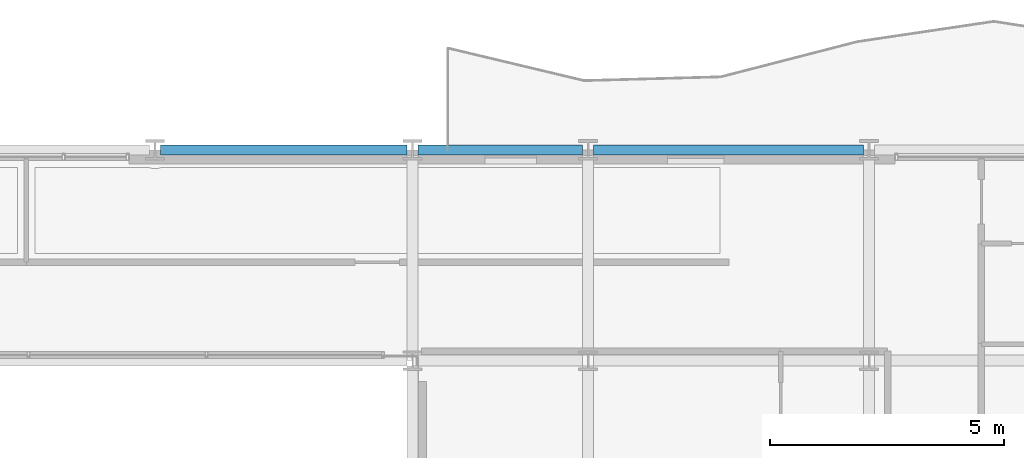
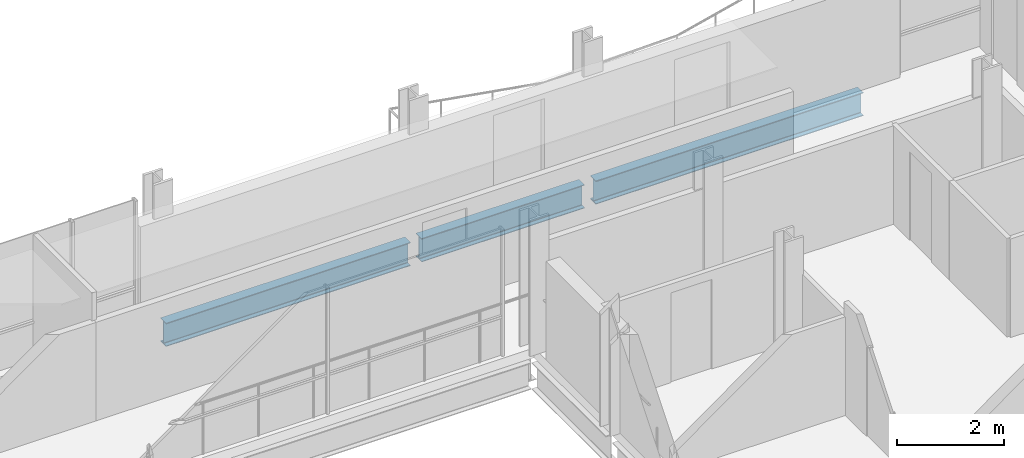
# One storey, part 23 of 41: 3 beams.
"""IFC4 building model written with IfcOpenShell, lengths in metres."""

from ifc_helpers import new_model, si_unit, direction, frame, origin, origin_2d, place, context, subcontext, project, spatial, i_section, extrude, material, material_profile, profile_set, type_object, element, save


model = new_model("IFC4")

# Units and contexts
model_context = context("Model", 3, precision=1e-05, world=origin(), true_north=direction((0.0, 1.0)))
body_context = subcontext(model_context, "Body", "Model", "MODEL_VIEW")
ifc_project = project(units=[si_unit("LENGTHUNIT", "METRE"), si_unit("AREAUNIT", "SQUARE_METRE"), si_unit("VOLUMEUNIT", "CUBIC_METRE"), si_unit("PLANEANGLEUNIT", "RADIAN"), si_unit("MASSUNIT", "GRAM", prefix="KILO")], contexts=[model_context])

# Site, building, storey
site_placement = place(None, origin())
site = spatial("IfcSite", under=ifc_project, at=site_placement, CompositionType="ELEMENT")
building_placement = place(site_placement, origin())
building = spatial("IfcBuilding", under=site, at=building_placement, Name="Brevholm Reach", CompositionType="ELEMENT")
storey_placement = place(building_placement, frame((0.0, 0.0, 106.60009765625)))
storey = spatial("IfcBuildingStorey", under=building, at=storey_placement, Name="L31", CompositionType="ELEMENT", Elevation=106.60009765625)

# Beams
ifc_material = material(Name="Structural Steel S355J2", Category="steel")
ifc_material_profile = material_profile(ifc_material, i_section(OverallWidth=0.209228515625, OverallDepth=0.533203125, WebThickness=0.010009765625, FlangeThickness=0.015625, FilletRadius=0.0126953125, at=origin_2d()), Name="UKB 533x210x92")
ifc_profile_set = profile_set([ifc_material_profile], Name="Structural Steel S355J2")
beam_type = type_object("IfcBeamType", Name="BM-SP533", PredefinedType="SPANDREL", material=ifc_profile_set)
beam_1_placement = place(storey_placement, frame((32.8701171875, 31.0, -0.486572265625), z_axis=(1.0, 0.0, 0.0), x_axis=(0.0, 1.0, 0.0)))
element("IfcBeam", 1, at=beam_1_placement, inside=storey, type_object=beam_type, Name="L31 SP-02 Framing Beam", PredefinedType="SPANDREL", context=body_context, shape_type="SweptSolid", body=[
    extrude(i_section(OverallWidth=0.209228515625, OverallDepth=0.533203125, WebThickness=0.010009765625, FlangeThickness=0.015625, FilletRadius=0.0126953125, at=origin_2d()), origin(), (0.0, 0.0, 1.0), 5.259765625),
])
beam_2_placement = place(storey_placement, frame((38.3701171875, 31.0, -0.486572265625), z_axis=(1.0, 0.0, 0.0), x_axis=(0.0, 1.0, 0.0)))
element("IfcBeam", 2, at=beam_2_placement, inside=storey, type_object=beam_type, Name="L31 SP-02 Framing Beam", PredefinedType="SPANDREL", context=body_context, shape_type="SweptSolid", body=[
    extrude(i_section(OverallWidth=0.209228515625, OverallDepth=0.533203125, WebThickness=0.010009765625, FlangeThickness=0.015625, FilletRadius=0.0126953125, at=origin_2d()), origin(), (0.0, 0.0, 1.0), 3.509765625),
])
beam_3_placement = place(storey_placement, frame((42.1201171875, 31.0, -0.486572265625), z_axis=(1.0, 0.0, 0.0), x_axis=(0.0, 1.0, 0.0)))
element("IfcBeam", 3, at=beam_3_placement, inside=storey, type_object=beam_type, Name="L31 SP-02 Framing Beam", PredefinedType="SPANDREL", context=body_context, shape_type="SweptSolid", body=[
    extrude(i_section(OverallWidth=0.209228515625, OverallDepth=0.533203125, WebThickness=0.010009765625, FlangeThickness=0.015625, FilletRadius=0.0126953125, at=origin_2d()), origin(), (0.0, 0.0, 1.0), 5.759765625),
])

save(model, "model.ifc")
